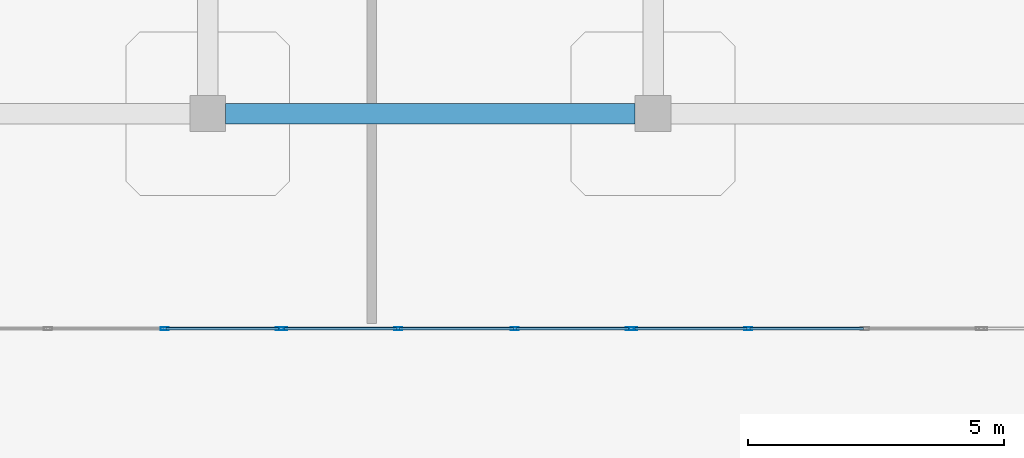
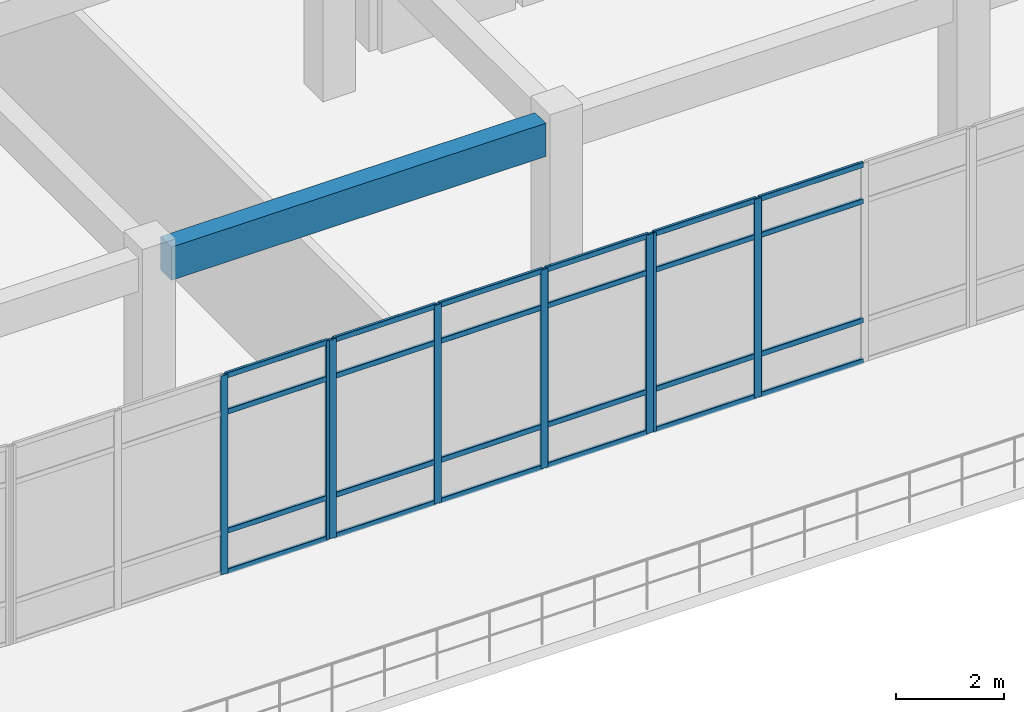
# One storey, part 7 of 76: 32 members, 1 beam, 3 elements without a shape of their own.
"""IFC4 building model written with IfcOpenShell, lengths in metres."""

from ifc_helpers import new_model, si_unit, derived_unit, direction, frame, origin, origin_2d, place, context, subcontext, project, spatial, rectangle, hollow_rectangle, extrude, material, layer, layer_set, material_profile, profile_set, type_object, element, aggregate, save


model = new_model("IFC4")

# Units and contexts
model_context = context("Model", 3, precision=1e-05, world=origin(), true_north=direction((0.0, 1.0)))
body_context = subcontext(model_context, "Body", "Model", "MODEL_VIEW")
ifc_project = project(units=[si_unit("LENGTHUNIT", "METRE"), si_unit("AREAUNIT", "SQUARE_METRE"), si_unit("VOLUMEUNIT", "CUBIC_METRE"), si_unit("PLANEANGLEUNIT", "RADIAN"), si_unit("MASSUNIT", "GRAM", prefix="KILO"), derived_unit("THERMALTRANSMITTANCEUNIT", [(si_unit("MASSUNIT", "GRAM", prefix="KILO"), 1), (si_unit("TIMEUNIT", "SECOND"), -3), (si_unit("THERMODYNAMICTEMPERATUREUNIT", "KELVIN"), -1)])], contexts=[model_context])

# Site, building, storey
site_placement = place(None, origin())
site = spatial("IfcSite", under=ifc_project, at=site_placement, CompositionType="ELEMENT")
building_placement = place(site_placement, origin())
building = spatial("IfcBuilding", under=site, at=building_placement, Name="Qinzheling Arcade Emporium", CompositionType="ELEMENT")
storey_placement = place(building_placement, frame((0.0, 0.0, 26.699951171875)))
storey = spatial("IfcBuildingStorey", under=building, at=storey_placement, Name="L06", CompositionType="ELEMENT", Elevation=26.699951171875)

# Curtain wall, members
ifc_material_1 = material(Name="Anodised aluminium and solar-control double glazing", Category="aluminium")
ifc_layer = layer(ifc_material_1, 0.159912109375, Name="Anodised aluminium and solar-control double glazing", Category="aluminium")
ifc_layer_set = layer_set([ifc_layer], Name="Anodised aluminium and solar-control double glazing")
curtain_wall_type = type_object("IfcCurtainWallType", Name="Arcade Portal Glazed Curtain Wall", PredefinedType="NOTDEFINED", material=ifc_layer_set)
curtain_wall_1_placement = place(storey_placement, origin())
curtain_wall_1 = element("IfcCurtainWall", 1, at=curtain_wall_1_placement, inside=storey, type_object=curtain_wall_type, Name="Curtain Wall CW-L06-347", PredefinedType="NOTDEFINED")
ifc_material_2 = material(Name="Anodised aluminium 6063-T6", Category="aluminium")
ifc_material_profile_1 = material_profile(ifc_material_2, hollow_rectangle(XDim=0.06005859375, YDim=0.159912109375, WallThickness=0.00390625, InnerFilletRadius=0.00390625, OuterFilletRadius=0.008056640625, at=origin_2d()), Name="RHS 160x60x4", Category="aluminium")
ifc_profile_set_1 = profile_set([ifc_material_profile_1], Name="Anodised aluminium 6063-T6")
member_type_1 = type_object("IfcMemberType", Name="Curtain Wall Mullion RHS160x60", PredefinedType="MULLION", material=ifc_profile_set_1)
member_1_placement = place(storey_placement, frame((45.360595703125, 12.60009765625, 0.0), z_axis=(0.0, 0.0, 1.0), x_axis=(0.0, -1.0, 0.0)))
member_1 = element("IfcMember", 2, at=member_1_placement, type_object=member_type_1, Name="CW05 mullion 3", PredefinedType="MULLION", context=body_context, shape_type="SweptSolid", body=[
    extrude(hollow_rectangle(XDim=0.06005859375, YDim=0.159912109375, WallThickness=0.00390625, InnerFilletRadius=0.00390625, OuterFilletRadius=0.008056640625, at=origin_2d()), origin(), (0.0, 0.0, 1.0), 4.489990234375),
])
member_2_placement = place(storey_placement, frame((43.112060546875, 12.60009765625, 0.0), z_axis=(0.0, 0.0, 1.0), x_axis=(0.0, -1.0, 0.0)))
member_2 = element("IfcMember", 3, at=member_2_placement, type_object=member_type_1, Name="CW05 mullion 4", PredefinedType="MULLION", context=body_context, shape_type="SweptSolid", body=[
    extrude(hollow_rectangle(XDim=0.06005859375, YDim=0.159912109375, WallThickness=0.00390625, InnerFilletRadius=0.00390625, OuterFilletRadius=0.008056640625, at=origin_2d()), origin(), (0.0, 0.0, 1.0), 4.489990234375),
])

curtain_wall_2_placement = place(storey_placement, origin())
curtain_wall_2 = element("IfcCurtainWall", 4, at=curtain_wall_2_placement, inside=storey, type_object=curtain_wall_type, Name="Curtain Wall CW-L06-348", PredefinedType="NOTDEFINED")
member_3_placement = place(storey_placement, frame((43.048095703125, 12.60009765625, 0.0), z_axis=(0.0, 0.0, 1.0), x_axis=(0.0, -1.0, 0.0)))
member_3 = element("IfcMember", 5, at=member_3_placement, type_object=member_type_1, Name="CW05 mullion 1", PredefinedType="MULLION", context=body_context, shape_type="SweptSolid", body=[
    extrude(hollow_rectangle(XDim=0.06005859375, YDim=0.159912109375, WallThickness=0.00390625, InnerFilletRadius=0.00390625, OuterFilletRadius=0.008056640625, at=origin_2d()), origin(), (0.0, 0.0, 1.0), 4.489990234375),
])
member_4_placement = place(storey_placement, frame((40.79931640625, 12.60009765625, 0.0), z_axis=(0.0, 0.0, 1.0), x_axis=(0.0, -1.0, 0.0)))
member_4 = element("IfcMember", 6, at=member_4_placement, type_object=member_type_1, Name="CW05 mullion 2", PredefinedType="MULLION", context=body_context, shape_type="SweptSolid", body=[
    extrude(hollow_rectangle(XDim=0.06005859375, YDim=0.159912109375, WallThickness=0.00390625, InnerFilletRadius=0.00390625, OuterFilletRadius=0.008056640625, at=origin_2d()), origin(), (0.0, 0.0, 1.0), 4.489990234375),
])
member_5_placement = place(storey_placement, frame((38.520751953125, 12.60009765625, 0.0), z_axis=(0.0, 0.0, 1.0), x_axis=(0.0, -1.0, 0.0)))
member_5 = element("IfcMember", 7, at=member_5_placement, type_object=member_type_1, Name="CW05 mullion 3", PredefinedType="MULLION", context=body_context, shape_type="SweptSolid", body=[
    extrude(hollow_rectangle(XDim=0.06005859375, YDim=0.159912109375, WallThickness=0.00390625, InnerFilletRadius=0.00390625, OuterFilletRadius=0.008056640625, at=origin_2d()), origin(), (0.0, 0.0, 1.0), 4.489990234375),
])
member_6_placement = place(storey_placement, frame((36.27197265625, 12.60009765625, 0.0), z_axis=(0.0, 0.0, 1.0), x_axis=(0.0, -1.0, 0.0)))
member_6 = element("IfcMember", 8, at=member_6_placement, type_object=member_type_1, Name="CW05 mullion 4", PredefinedType="MULLION", context=body_context, shape_type="SweptSolid", body=[
    extrude(hollow_rectangle(XDim=0.06005859375, YDim=0.159912109375, WallThickness=0.00390625, InnerFilletRadius=0.00390625, OuterFilletRadius=0.008056640625, at=origin_2d()), origin(), (0.0, 0.0, 1.0), 4.489990234375),
])

curtain_wall_3_placement = place(storey_placement, origin())
curtain_wall_3 = element("IfcCurtainWall", 9, at=curtain_wall_3_placement, inside=storey, type_object=curtain_wall_type, Name="Curtain Wall CW-L06-349", PredefinedType="NOTDEFINED")
member_7_placement = place(storey_placement, frame((36.2080078125, 12.60009765625, 0.0), z_axis=(0.0, 0.0, 1.0), x_axis=(0.0, -1.0, 0.0)))
member_7 = element("IfcMember", 10, at=member_7_placement, type_object=member_type_1, Name="CW05 mullion 1", PredefinedType="MULLION", context=body_context, shape_type="SweptSolid", body=[
    extrude(hollow_rectangle(XDim=0.06005859375, YDim=0.159912109375, WallThickness=0.00390625, InnerFilletRadius=0.00390625, OuterFilletRadius=0.008056640625, at=origin_2d()), origin(), (0.0, 0.0, 1.0), 4.489990234375),
])
member_8_placement = place(storey_placement, frame((33.958740234375, 12.60009765625, 0.0), z_axis=(0.0, 0.0, 1.0), x_axis=(0.0, -1.0, 0.0)))
member_8 = element("IfcMember", 11, at=member_8_placement, type_object=member_type_1, Name="CW05 mullion 2", PredefinedType="MULLION", context=body_context, shape_type="SweptSolid", body=[
    extrude(hollow_rectangle(XDim=0.06005859375, YDim=0.159912109375, WallThickness=0.00390625, InnerFilletRadius=0.00390625, OuterFilletRadius=0.008056640625, at=origin_2d()), origin(), (0.0, 0.0, 1.0), 4.489990234375),
])

# Member
ifc_material_profile_2 = material_profile(ifc_material_2, hollow_rectangle(XDim=0.06005859375, YDim=0.1201171875, WallThickness=0.00390625, InnerFilletRadius=0.00390625, OuterFilletRadius=0.008056640625, at=origin_2d()), Name="RHS 120x60x4", Category="aluminium")
ifc_profile_set_2 = profile_set([ifc_material_profile_2], Name="Anodised aluminium 6063-T6")
member_type_2 = type_object("IfcMemberType", Name="Curtain Wall Transom RHS120x60", PredefinedType="USERDEFINED", material=ifc_profile_set_2)
member_9_placement = place(storey_placement, frame((47.609375, 12.60009765625, 0.030029296875), z_axis=(-1.0, 0.0, 0.0), x_axis=(0.0, -1.0, 0.0)))
member_9 = element("IfcMember", 12, at=member_9_placement, type_object=member_type_2, Name="CW05 transom 2.1", ObjectType="TRANSOM", PredefinedType="USERDEFINED", context=body_context, shape_type="SweptSolid", body=[
    extrude(hollow_rectangle(XDim=0.06005859375, YDim=0.1201171875, WallThickness=0.00390625, InnerFilletRadius=0.00390625, OuterFilletRadius=0.008056640625, at=origin_2d()), origin(), (0.0, 0.0, 1.0), 2.21875),
])

member_10_placement = place(storey_placement, frame((47.609375, 12.60009765625, 0.949951171875), z_axis=(-1.0, 0.0, 0.0), x_axis=(0.0, -1.0, 0.0)))
member_10 = element("IfcMember", 13, at=member_10_placement, type_object=member_type_2, Name="CW05 transom 2.2", ObjectType="TRANSOM", PredefinedType="USERDEFINED", context=body_context, shape_type="SweptSolid", body=[
    extrude(hollow_rectangle(XDim=0.06005859375, YDim=0.1201171875, WallThickness=0.00390625, InnerFilletRadius=0.00390625, OuterFilletRadius=0.008056640625, at=origin_2d()), origin(), (0.0, 0.0, 1.0), 2.21875),
])

member_11_placement = place(storey_placement, frame((47.609375, 12.60009765625, 3.64013671875), z_axis=(-1.0, 0.0, 0.0), x_axis=(0.0, -1.0, 0.0)))
member_11 = element("IfcMember", 14, at=member_11_placement, type_object=member_type_2, Name="CW05 transom 2.3", ObjectType="TRANSOM", PredefinedType="USERDEFINED", context=body_context, shape_type="SweptSolid", body=[
    extrude(hollow_rectangle(XDim=0.06005859375, YDim=0.1201171875, WallThickness=0.00390625, InnerFilletRadius=0.00390625, OuterFilletRadius=0.008056640625, at=origin_2d()), origin(), (0.0, 0.0, 1.0), 2.21875),
])

member_12_placement = place(storey_placement, frame((47.609375, 12.60009765625, 4.4599609375), z_axis=(-1.0, 0.0, 0.0), x_axis=(0.0, -1.0, 0.0)))
member_12 = element("IfcMember", 15, at=member_12_placement, type_object=member_type_2, Name="CW05 transom 2.4", ObjectType="TRANSOM", PredefinedType="USERDEFINED", context=body_context, shape_type="SweptSolid", body=[
    extrude(hollow_rectangle(XDim=0.06005859375, YDim=0.1201171875, WallThickness=0.00390625, InnerFilletRadius=0.00390625, OuterFilletRadius=0.008056640625, at=origin_2d()), origin(), (0.0, 0.0, 1.0), 2.21875),
])

member_13_placement = place(storey_placement, frame((45.33056640625, 12.60009765625, 0.030029296875), z_axis=(-1.0, 0.0, 0.0), x_axis=(0.0, -1.0, 0.0)))
member_13 = element("IfcMember", 16, at=member_13_placement, type_object=member_type_2, Name="CW05 transom 3.1", ObjectType="TRANSOM", PredefinedType="USERDEFINED", context=body_context, shape_type="SweptSolid", body=[
    extrude(hollow_rectangle(XDim=0.06005859375, YDim=0.1201171875, WallThickness=0.00390625, InnerFilletRadius=0.00390625, OuterFilletRadius=0.008056640625, at=origin_2d()), origin(), (0.0, 0.0, 1.0), 2.1884765625),
])

member_14_placement = place(storey_placement, frame((45.33056640625, 12.60009765625, 0.949951171875), z_axis=(-1.0, 0.0, 0.0), x_axis=(0.0, -1.0, 0.0)))
member_14 = element("IfcMember", 17, at=member_14_placement, type_object=member_type_2, Name="CW05 transom 3.2", ObjectType="TRANSOM", PredefinedType="USERDEFINED", context=body_context, shape_type="SweptSolid", body=[
    extrude(hollow_rectangle(XDim=0.06005859375, YDim=0.1201171875, WallThickness=0.00390625, InnerFilletRadius=0.00390625, OuterFilletRadius=0.008056640625, at=origin_2d()), origin(), (0.0, 0.0, 1.0), 2.1884765625),
])

member_15_placement = place(storey_placement, frame((45.33056640625, 12.60009765625, 3.64013671875), z_axis=(-1.0, 0.0, 0.0), x_axis=(0.0, -1.0, 0.0)))
member_15 = element("IfcMember", 18, at=member_15_placement, type_object=member_type_2, Name="CW05 transom 3.3", ObjectType="TRANSOM", PredefinedType="USERDEFINED", context=body_context, shape_type="SweptSolid", body=[
    extrude(hollow_rectangle(XDim=0.06005859375, YDim=0.1201171875, WallThickness=0.00390625, InnerFilletRadius=0.00390625, OuterFilletRadius=0.008056640625, at=origin_2d()), origin(), (0.0, 0.0, 1.0), 2.1884765625),
])

member_16_placement = place(storey_placement, frame((45.33056640625, 12.60009765625, 4.4599609375), z_axis=(-1.0, 0.0, 0.0), x_axis=(0.0, -1.0, 0.0)))
member_16 = element("IfcMember", 19, at=member_16_placement, type_object=member_type_2, Name="CW05 transom 3.4", ObjectType="TRANSOM", PredefinedType="USERDEFINED", context=body_context, shape_type="SweptSolid", body=[
    extrude(hollow_rectangle(XDim=0.06005859375, YDim=0.1201171875, WallThickness=0.00390625, InnerFilletRadius=0.00390625, OuterFilletRadius=0.008056640625, at=origin_2d()), origin(), (0.0, 0.0, 1.0), 2.1884765625),
])

aggregate(curtain_wall_1, [member_1, member_2, member_9, member_10, member_11, member_12, member_13, member_14, member_15, member_16])

member_17_placement = place(storey_placement, frame((43.01806640625, 12.60009765625, 0.030029296875), z_axis=(-1.0, 0.0, 0.0), x_axis=(0.0, -1.0, 0.0)))
member_17 = element("IfcMember", 20, at=member_17_placement, type_object=member_type_2, Name="CW05 transom 1.1", ObjectType="TRANSOM", PredefinedType="USERDEFINED", context=body_context, shape_type="SweptSolid", body=[
    extrude(hollow_rectangle(XDim=0.06005859375, YDim=0.1201171875, WallThickness=0.00390625, InnerFilletRadius=0.00390625, OuterFilletRadius=0.008056640625, at=origin_2d()), origin(), (0.0, 0.0, 1.0), 2.188720703125),
])

member_18_placement = place(storey_placement, frame((43.01806640625, 12.60009765625, 0.949951171875), z_axis=(-1.0, 0.0, 0.0), x_axis=(0.0, -1.0, 0.0)))
member_18 = element("IfcMember", 21, at=member_18_placement, type_object=member_type_2, Name="CW05 transom 1.2", ObjectType="TRANSOM", PredefinedType="USERDEFINED", context=body_context, shape_type="SweptSolid", body=[
    extrude(hollow_rectangle(XDim=0.06005859375, YDim=0.1201171875, WallThickness=0.00390625, InnerFilletRadius=0.00390625, OuterFilletRadius=0.008056640625, at=origin_2d()), origin(), (0.0, 0.0, 1.0), 2.188720703125),
])

member_19_placement = place(storey_placement, frame((43.01806640625, 12.60009765625, 3.64013671875), z_axis=(-1.0, 0.0, 0.0), x_axis=(0.0, -1.0, 0.0)))
member_19 = element("IfcMember", 22, at=member_19_placement, type_object=member_type_2, Name="CW05 transom 1.3", ObjectType="TRANSOM", PredefinedType="USERDEFINED", context=body_context, shape_type="SweptSolid", body=[
    extrude(hollow_rectangle(XDim=0.06005859375, YDim=0.1201171875, WallThickness=0.00390625, InnerFilletRadius=0.00390625, OuterFilletRadius=0.008056640625, at=origin_2d()), origin(), (0.0, 0.0, 1.0), 2.188720703125),
])

member_20_placement = place(storey_placement, frame((43.01806640625, 12.60009765625, 4.4599609375), z_axis=(-1.0, 0.0, 0.0), x_axis=(0.0, -1.0, 0.0)))
member_20 = element("IfcMember", 23, at=member_20_placement, type_object=member_type_2, Name="CW05 transom 1.4", ObjectType="TRANSOM", PredefinedType="USERDEFINED", context=body_context, shape_type="SweptSolid", body=[
    extrude(hollow_rectangle(XDim=0.06005859375, YDim=0.1201171875, WallThickness=0.00390625, InnerFilletRadius=0.00390625, OuterFilletRadius=0.008056640625, at=origin_2d()), origin(), (0.0, 0.0, 1.0), 2.188720703125),
])

member_21_placement = place(storey_placement, frame((40.769287109375, 12.60009765625, 0.030029296875), z_axis=(-1.0, 0.0, 0.0), x_axis=(0.0, -1.0, 0.0)))
member_21 = element("IfcMember", 24, at=member_21_placement, type_object=member_type_2, Name="CW05 transom 2.1", ObjectType="TRANSOM", PredefinedType="USERDEFINED", context=body_context, shape_type="SweptSolid", body=[
    extrude(hollow_rectangle(XDim=0.06005859375, YDim=0.1201171875, WallThickness=0.00390625, InnerFilletRadius=0.00390625, OuterFilletRadius=0.008056640625, at=origin_2d()), origin(), (0.0, 0.0, 1.0), 2.218505859375),
])

member_22_placement = place(storey_placement, frame((40.769287109375, 12.60009765625, 0.949951171875), z_axis=(-1.0, 0.0, 0.0), x_axis=(0.0, -1.0, 0.0)))
member_22 = element("IfcMember", 25, at=member_22_placement, type_object=member_type_2, Name="CW05 transom 2.2", ObjectType="TRANSOM", PredefinedType="USERDEFINED", context=body_context, shape_type="SweptSolid", body=[
    extrude(hollow_rectangle(XDim=0.06005859375, YDim=0.1201171875, WallThickness=0.00390625, InnerFilletRadius=0.00390625, OuterFilletRadius=0.008056640625, at=origin_2d()), origin(), (0.0, 0.0, 1.0), 2.218505859375),
])

member_23_placement = place(storey_placement, frame((40.769287109375, 12.60009765625, 3.64013671875), z_axis=(-1.0, 0.0, 0.0), x_axis=(0.0, -1.0, 0.0)))
member_23 = element("IfcMember", 26, at=member_23_placement, type_object=member_type_2, Name="CW05 transom 2.3", ObjectType="TRANSOM", PredefinedType="USERDEFINED", context=body_context, shape_type="SweptSolid", body=[
    extrude(hollow_rectangle(XDim=0.06005859375, YDim=0.1201171875, WallThickness=0.00390625, InnerFilletRadius=0.00390625, OuterFilletRadius=0.008056640625, at=origin_2d()), origin(), (0.0, 0.0, 1.0), 2.218505859375),
])

member_24_placement = place(storey_placement, frame((40.769287109375, 12.60009765625, 4.4599609375), z_axis=(-1.0, 0.0, 0.0), x_axis=(0.0, -1.0, 0.0)))
member_24 = element("IfcMember", 27, at=member_24_placement, type_object=member_type_2, Name="CW05 transom 2.4", ObjectType="TRANSOM", PredefinedType="USERDEFINED", context=body_context, shape_type="SweptSolid", body=[
    extrude(hollow_rectangle(XDim=0.06005859375, YDim=0.1201171875, WallThickness=0.00390625, InnerFilletRadius=0.00390625, OuterFilletRadius=0.008056640625, at=origin_2d()), origin(), (0.0, 0.0, 1.0), 2.218505859375),
])

member_25_placement = place(storey_placement, frame((38.49072265625, 12.60009765625, 0.030029296875), z_axis=(-1.0, 0.0, 0.0), x_axis=(0.0, -1.0, 0.0)))
member_25 = element("IfcMember", 28, at=member_25_placement, type_object=member_type_2, Name="CW05 transom 3.1", ObjectType="TRANSOM", PredefinedType="USERDEFINED", context=body_context, shape_type="SweptSolid", body=[
    extrude(hollow_rectangle(XDim=0.06005859375, YDim=0.1201171875, WallThickness=0.00390625, InnerFilletRadius=0.00390625, OuterFilletRadius=0.008056640625, at=origin_2d()), origin(), (0.0, 0.0, 1.0), 2.188720703125),
])

member_26_placement = place(storey_placement, frame((38.49072265625, 12.60009765625, 0.949951171875), z_axis=(-1.0, 0.0, 0.0), x_axis=(0.0, -1.0, 0.0)))
member_26 = element("IfcMember", 29, at=member_26_placement, type_object=member_type_2, Name="CW05 transom 3.2", ObjectType="TRANSOM", PredefinedType="USERDEFINED", context=body_context, shape_type="SweptSolid", body=[
    extrude(hollow_rectangle(XDim=0.06005859375, YDim=0.1201171875, WallThickness=0.00390625, InnerFilletRadius=0.00390625, OuterFilletRadius=0.008056640625, at=origin_2d()), origin(), (0.0, 0.0, 1.0), 2.188720703125),
])

member_27_placement = place(storey_placement, frame((38.49072265625, 12.60009765625, 3.64013671875), z_axis=(-1.0, 0.0, 0.0), x_axis=(0.0, -1.0, 0.0)))
member_27 = element("IfcMember", 30, at=member_27_placement, type_object=member_type_2, Name="CW05 transom 3.3", ObjectType="TRANSOM", PredefinedType="USERDEFINED", context=body_context, shape_type="SweptSolid", body=[
    extrude(hollow_rectangle(XDim=0.06005859375, YDim=0.1201171875, WallThickness=0.00390625, InnerFilletRadius=0.00390625, OuterFilletRadius=0.008056640625, at=origin_2d()), origin(), (0.0, 0.0, 1.0), 2.188720703125),
])

member_28_placement = place(storey_placement, frame((38.49072265625, 12.60009765625, 4.4599609375), z_axis=(-1.0, 0.0, 0.0), x_axis=(0.0, -1.0, 0.0)))
member_28 = element("IfcMember", 31, at=member_28_placement, type_object=member_type_2, Name="CW05 transom 3.4", ObjectType="TRANSOM", PredefinedType="USERDEFINED", context=body_context, shape_type="SweptSolid", body=[
    extrude(hollow_rectangle(XDim=0.06005859375, YDim=0.1201171875, WallThickness=0.00390625, InnerFilletRadius=0.00390625, OuterFilletRadius=0.008056640625, at=origin_2d()), origin(), (0.0, 0.0, 1.0), 2.188720703125),
])

aggregate(curtain_wall_2, [member_3, member_4, member_5, member_6, member_17, member_18, member_19, member_20, member_21, member_22, member_23, member_24, member_25, member_26, member_27, member_28])

member_29_placement = place(storey_placement, frame((36.177978515625, 12.60009765625, 0.030029296875), z_axis=(-1.0, 0.0, 0.0), x_axis=(0.0, -1.0, 0.0)))
member_29 = element("IfcMember", 32, at=member_29_placement, type_object=member_type_2, Name="CW05 transom 1.1", ObjectType="TRANSOM", PredefinedType="USERDEFINED", context=body_context, shape_type="SweptSolid", body=[
    extrude(hollow_rectangle(XDim=0.06005859375, YDim=0.1201171875, WallThickness=0.00390625, InnerFilletRadius=0.00390625, OuterFilletRadius=0.008056640625, at=origin_2d()), origin(), (0.0, 0.0, 1.0), 2.189208984375),
])

member_30_placement = place(storey_placement, frame((36.177978515625, 12.60009765625, 0.949951171875), z_axis=(-1.0, 0.0, 0.0), x_axis=(0.0, -1.0, 0.0)))
member_30 = element("IfcMember", 33, at=member_30_placement, type_object=member_type_2, Name="CW05 transom 1.2", ObjectType="TRANSOM", PredefinedType="USERDEFINED", context=body_context, shape_type="SweptSolid", body=[
    extrude(hollow_rectangle(XDim=0.06005859375, YDim=0.1201171875, WallThickness=0.00390625, InnerFilletRadius=0.00390625, OuterFilletRadius=0.008056640625, at=origin_2d()), origin(), (0.0, 0.0, 1.0), 2.189208984375),
])

member_31_placement = place(storey_placement, frame((36.177978515625, 12.60009765625, 3.64013671875), z_axis=(-1.0, 0.0, 0.0), x_axis=(0.0, -1.0, 0.0)))
member_31 = element("IfcMember", 34, at=member_31_placement, type_object=member_type_2, Name="CW05 transom 1.3", ObjectType="TRANSOM", PredefinedType="USERDEFINED", context=body_context, shape_type="SweptSolid", body=[
    extrude(hollow_rectangle(XDim=0.06005859375, YDim=0.1201171875, WallThickness=0.00390625, InnerFilletRadius=0.00390625, OuterFilletRadius=0.008056640625, at=origin_2d()), origin(), (0.0, 0.0, 1.0), 2.189208984375),
])

member_32_placement = place(storey_placement, frame((36.177978515625, 12.60009765625, 4.4599609375), z_axis=(-1.0, 0.0, 0.0), x_axis=(0.0, -1.0, 0.0)))
member_32 = element("IfcMember", 35, at=member_32_placement, type_object=member_type_2, Name="CW05 transom 1.4", ObjectType="TRANSOM", PredefinedType="USERDEFINED", context=body_context, shape_type="SweptSolid", body=[
    extrude(hollow_rectangle(XDim=0.06005859375, YDim=0.1201171875, WallThickness=0.00390625, InnerFilletRadius=0.00390625, OuterFilletRadius=0.008056640625, at=origin_2d()), origin(), (0.0, 0.0, 1.0), 2.189208984375),
])

aggregate(curtain_wall_3, [member_7, member_8, member_29, member_30, member_31, member_32])

# Beam
ifc_material_3 = material(Name="Concrete C40", Category="concrete")
ifc_material_profile_3 = material_profile(ifc_material_3, rectangle(XDim=0.39990234375, YDim=0.75, at=origin_2d()), Name="RC 400x750", Category="concrete")
ifc_profile_set_3 = profile_set([ifc_material_profile_3], Name="Concrete C40")
beam_type = type_object("IfcBeamType", Name="RC Interior Tie Beam 400x750 C40", PredefinedType="BEAM", material=ifc_profile_set_3)
beam_placement = place(storey_placement, frame((35.14990234375, 16.800048828125, 4.14501953125), z_axis=(1.0, 0.0, 0.0), x_axis=(0.0, 1.0, 0.0)))
element("IfcBeam", 36, at=beam_placement, inside=storey, type_object=beam_type, Name="Beam BM-L06-X-C-5", PredefinedType="BEAM", context=body_context, shape_type="SweptSolid", body=[
    extrude(rectangle(XDim=0.39990234375, YDim=0.75, at=origin_2d()), origin(), (0.0, 0.0, 1.0), 8.0),
])

save(model, "model.ifc")
